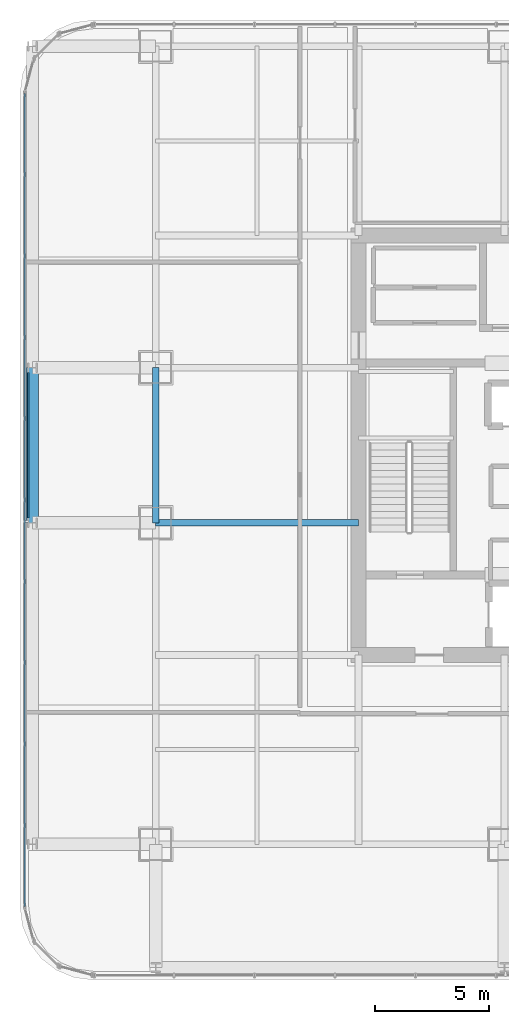
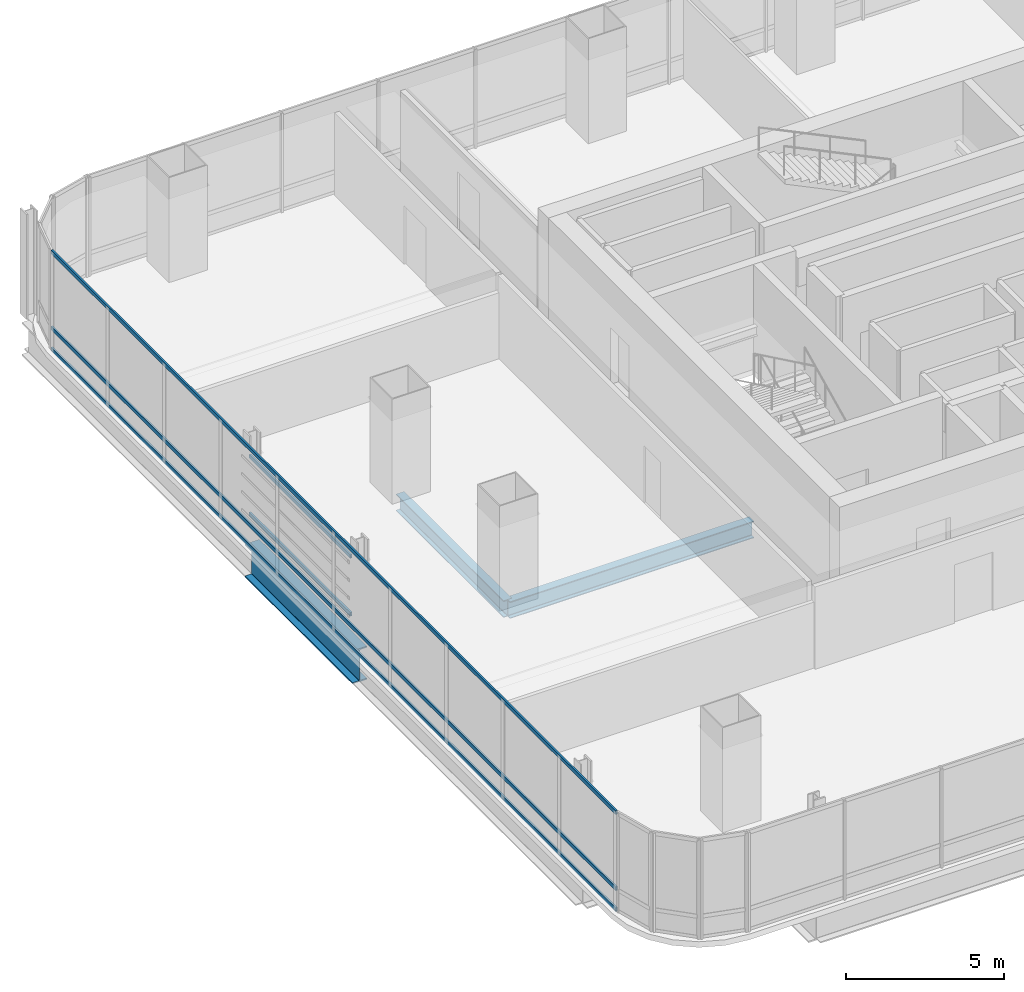
# One storey, part 10 of 37: 5 members, 3 beams, 1 element without a shape of its own.
"""IFC4 building model written with IfcOpenShell, lengths in metres."""

from ifc_helpers import new_model, si_unit, direction, frame, origin, origin_2d, place, context, subcontext, project, spatial, hollow_rectangle, i_section, extrude, material, material_profile, profile_set, type_object, element, aggregate, save


model = new_model("IFC4")

# Units and contexts
model_context = context("Model", 3, precision=1e-05, world=origin(), true_north=direction((0.0, 1.0)))
body_context = subcontext(model_context, "Body", "Model", "MODEL_VIEW")
ifc_project = project(units=[si_unit("LENGTHUNIT", "METRE"), si_unit("AREAUNIT", "SQUARE_METRE"), si_unit("VOLUMEUNIT", "CUBIC_METRE"), si_unit("PLANEANGLEUNIT", "RADIAN"), si_unit("MASSUNIT", "GRAM", prefix="KILO")], contexts=[model_context])

# Site, building, storey
site_placement = place(None, origin())
site = spatial("IfcSite", under=ifc_project, at=site_placement, CompositionType="ELEMENT")
building_placement = place(site_placement, origin())
building = spatial("IfcBuilding", under=site, at=building_placement, Name="Punatoya Terracotta Tower", CompositionType="ELEMENT")
storey_placement = place(building_placement, frame((0.0, 0.0, 192.449951171875)))
storey = spatial("IfcBuildingStorey", under=building, at=storey_placement, Name="L45", CompositionType="ELEMENT", Elevation=192.449951171875)

# Beams
ifc_material_1 = material(Name="Steel S355", Category="steel")
ifc_material_profile_1 = material_profile(ifc_material_1, i_section(OverallWidth=0.300048828125, OverallDepth=0.64990234375, WebThickness=0.01611328125, FlangeThickness=0.031005859375, FilletRadius=0.01806640625, at=origin_2d()))
ifc_profile_set_1 = profile_set([ifc_material_profile_1], Name="Steel S355")
beam_type_1 = type_object("IfcBeamType", Name="BM-PRI-650", PredefinedType="BEAM", material=ifc_profile_set_1)
beam_1_placement = place(storey_placement, frame((-19.10009765625, -3.39990234375, -0.544921875), z_axis=(0.0, 1.0, 0.0), x_axis=(-1.0, 0.0, 0.0)))
element("IfcBeam", 1, at=beam_1_placement, inside=storey, type_object=beam_type_1, Name="BM-L45-RG-W2", PredefinedType="BEAM", context=body_context, shape_type="SweptSolid", body=[
    extrude(i_section(OverallWidth=0.300048828125, OverallDepth=0.64990234375, WebThickness=0.01611328125, FlangeThickness=0.031005859375, FilletRadius=0.01806640625, at=origin_2d()), origin(), (0.0, 0.0, 1.0), 6.7998046875),
])
beam_2_placement = place(storey_placement, frame((-19.10009765625, -3.39990234375, -0.544921875), z_axis=(1.0, 0.0, 0.0), x_axis=(0.0, 1.0, 0.0)))
element("IfcBeam", 2, at=beam_2_placement, inside=storey, type_object=beam_type_1, Name="BM-L45-PR-WD", PredefinedType="BEAM", context=body_context, shape_type="SweptSolid", body=[
    extrude(i_section(OverallWidth=0.300048828125, OverallDepth=0.64990234375, WebThickness=0.01611328125, FlangeThickness=0.031005859375, FilletRadius=0.01806640625, at=origin_2d()), origin(), (0.0, 0.0, 1.0), 8.900146484375),
])
ifc_material_2 = material(Name="Steel S460", Category="steel")
ifc_material_profile_2 = material_profile(ifc_material_2, i_section(OverallWidth=0.52001953125, OverallDepth=1.280029296875, WebThickness=0.031982421875, FlangeThickness=0.050048828125, FilletRadius=0.01806640625, at=origin_2d()))
ifc_profile_set_2 = profile_set([ifc_material_profile_2], Name="Steel S460")
beam_type_2 = type_object("IfcBeamType", Name="BM-TG-NCK", PredefinedType="BEAM", material=ifc_profile_set_2)
beam_3_placement = place(storey_placement, frame((-24.5, -3.39990234375, -0.85986328125), z_axis=(0.0, 1.0, 0.0), x_axis=(-1.0, 0.0, 0.0)))
element("IfcBeam", 3, at=beam_3_placement, inside=storey, type_object=beam_type_2, Name="BM-L45-PER-W2", PredefinedType="BEAM", context=body_context, shape_type="SweptSolid", body=[
    extrude(i_section(OverallWidth=0.52001953125, OverallDepth=1.280029296875, WebThickness=0.031982421875, FlangeThickness=0.050048828125, FilletRadius=0.01806640625, at=origin_2d()), origin(), (0.0, 0.0, 1.0), 6.7998046875),
])

# Curtain wall, members
ifc_material_3 = material(Name="Aluminium 6063-T6 + Double Low-E Glass", Category="aluminium")
curtain_wall_type = type_object("IfcCurtainWallType", Name="CW-M2", PredefinedType="NOTDEFINED", material=ifc_material_3)
curtain_wall_placement = place(storey_placement, origin())
curtain_wall = element("IfcCurtainWall", 4, at=curtain_wall_placement, inside=storey, type_object=curtain_wall_type, Name="L45 Curtain Wall CW-L45-W13-1", PredefinedType="NOTDEFINED")
ifc_material_4 = material(Name="Aluminium 6063-T6", Category="aluminium")
ifc_material_profile_3 = material_profile(ifc_material_4, hollow_rectangle(XDim=0.068115234375, YDim=0.14990234375, WallThickness=0.00390625, at=origin_2d()))
ifc_profile_set_3 = profile_set([ifc_material_profile_3], Name="Aluminium 6063-T6")
member_type_1 = type_object("IfcMemberType", Name="CW-TRN-TYP", PredefinedType="USERDEFINED", material=ifc_profile_set_3)
member_1_placement = place(storey_placement, frame((-24.85009765625, 15.43701171875, 0.0400390625), z_axis=(0.0, -1.0, 0.0), x_axis=(1.0, 0.0, 0.0)))
member_1 = element("IfcMember", 5, at=member_1_placement, type_object=member_type_1, Name="CW-L45-W13-1 Transom 1", ObjectType="TRANSOM", PredefinedType="USERDEFINED", context=body_context, shape_type="SweptSolid", body=[
    extrude(hollow_rectangle(XDim=0.068115234375, YDim=0.14990234375, WallThickness=0.00390625, at=origin_2d()), origin(), (0.0, 0.0, 1.0), 35.673828125),
])
member_2_placement = place(storey_placement, frame((-24.85009765625, 15.43701171875, 0.85009765625), z_axis=(0.0, -1.0, 0.0), x_axis=(1.0, 0.0, 0.0)))
member_2 = element("IfcMember", 6, at=member_2_placement, type_object=member_type_1, Name="CW-L45-W13-1 Transom 2", ObjectType="TRANSOM", PredefinedType="USERDEFINED", context=body_context, shape_type="SweptSolid", body=[
    extrude(hollow_rectangle(XDim=0.068115234375, YDim=0.14990234375, WallThickness=0.00390625, at=origin_2d()), origin(), (0.0, 0.0, 1.0), 35.673828125),
])
member_3_placement = place(storey_placement, frame((-24.85009765625, 15.43701171875, 3.7900390625), z_axis=(0.0, -1.0, 0.0), x_axis=(1.0, 0.0, 0.0)))
member_3 = element("IfcMember", 7, at=member_3_placement, type_object=member_type_1, Name="CW-L45-W13-1 Transom 3", ObjectType="TRANSOM", PredefinedType="USERDEFINED", context=body_context, shape_type="SweptSolid", body=[
    extrude(hollow_rectangle(XDim=0.068115234375, YDim=0.14990234375, WallThickness=0.00390625, at=origin_2d()), origin(), (0.0, 0.0, 1.0), 35.673828125),
])
aggregate(curtain_wall, [member_1, member_2, member_3])

# Members
ifc_material_profile_4 = material_profile(ifc_material_1, hollow_rectangle(XDim=0.070068359375, YDim=0.139892578125, WallThickness=0.006103515625, at=origin_2d()))
ifc_profile_set_4 = profile_set([ifc_material_profile_4], Name="Steel S355")
member_type_2 = type_object("IfcMemberType", Name="MEM-BAG-RAIL", PredefinedType="USERDEFINED", material=ifc_profile_set_4)
for number, where, z_axis, x_axis, name in (
    (8, (-24.694580078125, -3.196044921875, 1.050048828125), (0.0, 1.0, 0.0), (-1.0, 0.0, 0.0), "L45 Terracotta Baguette Carrier Rail BAG-L45-W-R1"),
    (9, (-24.694580078125, -3.196044921875, 3.280029296875), (0.0, 1.0, 0.0), (-1.0, 0.0, 0.0), "L45 Terracotta Baguette Carrier Rail BAG-L45-W-R2"),
):
    element("IfcMember", number, at=place(storey_placement, frame(where, z_axis=z_axis, x_axis=x_axis)), inside=storey, type_object=member_type_2, Name=name, ObjectType="BAGUETTE", PredefinedType="USERDEFINED", context=body_context, shape_type="SweptSolid", body=[
        extrude(hollow_rectangle(XDim=0.070068359375, YDim=0.139892578125, WallThickness=0.006103515625, at=origin_2d()), origin(), (0.0, 0.0, 1.0), 6.39208984375),
    ])

save(model, "model.ifc")
